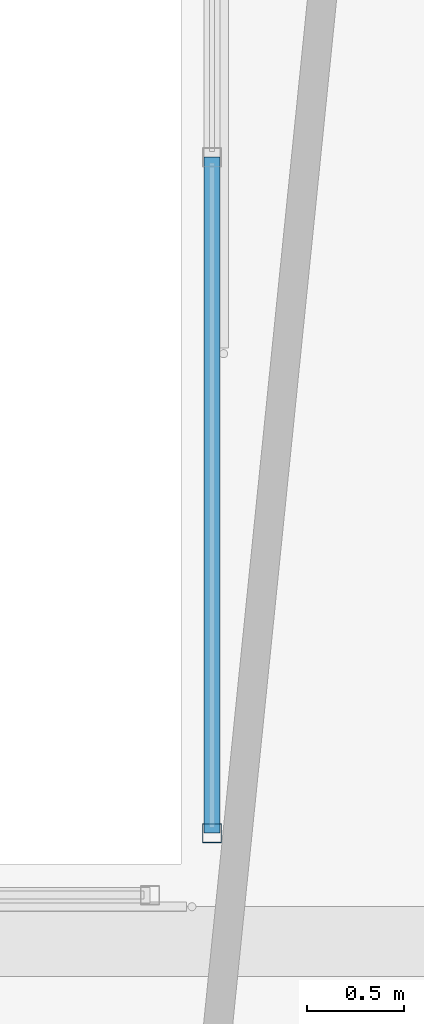
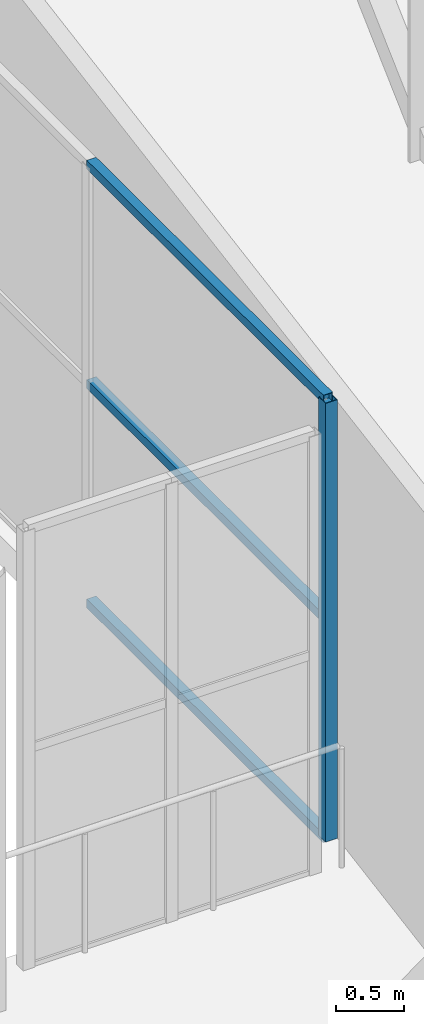
# One storey, part 143 of 217: 4 members, 1 element without a shape of its own.
"""IFC4 building model written with IfcOpenShell, lengths in metres."""

from ifc_helpers import new_model, si_unit, direction, frame, origin, origin_2d, place, context, subcontext, project, spatial, hollow_rectangle, extrude, material, material_profile, profile_set, type_object, element, aggregate, save


model = new_model("IFC4")

# Units and contexts
model_context = context("Model", 3, precision=1e-05, world=origin(), true_north=direction((0.0, 1.0)))
body_context = subcontext(model_context, "Body", "Model", "MODEL_VIEW")
ifc_project = project(units=[si_unit("LENGTHUNIT", "METRE"), si_unit("AREAUNIT", "SQUARE_METRE"), si_unit("VOLUMEUNIT", "CUBIC_METRE"), si_unit("PLANEANGLEUNIT", "RADIAN"), si_unit("MASSUNIT", "GRAM", prefix="KILO")], contexts=[model_context])

# Site, building, storey
site_placement = place(None, origin())
site = spatial("IfcSite", under=ifc_project, at=site_placement, CompositionType="ELEMENT")
building_placement = place(site_placement, origin())
building = spatial("IfcBuilding", under=site, at=building_placement, Name="Zuvorla Pavilion Media Centre", CompositionType="ELEMENT")
storey_placement = place(building_placement, frame((0.0, 0.0, 9.60009765625)))
storey = spatial("IfcBuildingStorey", under=building, at=storey_placement, Name="L02", CompositionType="ELEMENT", Elevation=9.60009765625)

# Curtain wall, members
ifc_material_1 = material(Name="Unitised anodised aluminium and solar glass curtain wall", Category="aluminium")
curtain_wall_type = type_object("IfcCurtainWallType", Name="CW-SYS-24", PredefinedType="USERDEFINED", material=ifc_material_1)
curtain_wall_placement = place(storey_placement, origin())
curtain_wall = element("IfcCurtainWall", 1, at=curtain_wall_placement, inside=storey, type_object=curtain_wall_type, Name="L02 curtain wall CW24 88", ObjectType="CURTAIN WALL", PredefinedType="USERDEFINED")
ifc_material_2 = material(Name="Anodised aluminium 6063-T6", Category="aluminium")
ifc_material_profile_1 = material_profile(ifc_material_2, hollow_rectangle(XDim=0.10009765625, YDim=0.10009765625, WallThickness=0.00439453125, at=origin_2d()), Name="ALU MULL 100x100")
ifc_profile_set_1 = profile_set([ifc_material_profile_1], Name="Anodised aluminium 6063-T6")
member_type_1 = type_object("IfcMemberType", Name="CW-MULL-100", PredefinedType="MULLION", material=ifc_profile_set_1)
member_1_placement = place(storey_placement, frame((154.159912109375, 52.159912109375, 0.0), z_axis=(0.0, 0.0, 1.0), x_axis=(1.0, 0.0, 0.0)))
member_1 = element("IfcMember", 2, at=member_1_placement, type_object=member_type_1, Name="CW24 mullion 1", PredefinedType="MULLION", context=body_context, shape_type="SweptSolid", body=[
    extrude(hollow_rectangle(XDim=0.10009765625, YDim=0.10009765625, WallThickness=0.00439453125, at=origin_2d()), origin(), (0.0, 0.0, 1.0), 3.949951171875),
])
ifc_material_profile_2 = material_profile(ifc_material_2, hollow_rectangle(XDim=0.080078125, YDim=0.080078125, WallThickness=0.00390625, at=origin_2d()), Name="ALU TRAN 80x80")
ifc_profile_set_2 = profile_set([ifc_material_profile_2], Name="Anodised aluminium 6063-T6")
member_type_2 = type_object("IfcMemberType", Name="CW-TRAN-80", PredefinedType="USERDEFINED", material=ifc_profile_set_2)
member_2_placement = place(storey_placement, frame((154.159912109375, 52.159912109375, 0.0), z_axis=(0.0, 1.0, 0.0), x_axis=(-1.0, 0.0, 0.0)))
member_2 = element("IfcMember", 3, at=member_2_placement, type_object=member_type_2, Name="CW24 transom 1.1", ObjectType="TRANSOM", PredefinedType="USERDEFINED", context=body_context, shape_type="SweptSolid", body=[
    extrude(hollow_rectangle(XDim=0.080078125, YDim=0.080078125, WallThickness=0.00390625, at=origin_2d()), origin(), (0.0, 0.0, 1.0), 3.489990234375),
])
member_3_placement = place(storey_placement, frame((154.159912109375, 52.159912109375, 1.974853515625), z_axis=(0.0, 1.0, 0.0), x_axis=(-1.0, 0.0, 0.0)))
member_3 = element("IfcMember", 4, at=member_3_placement, type_object=member_type_2, Name="CW24 transom 1.2", ObjectType="TRANSOM", PredefinedType="USERDEFINED", context=body_context, shape_type="SweptSolid", body=[
    extrude(hollow_rectangle(XDim=0.080078125, YDim=0.080078125, WallThickness=0.00390625, at=origin_2d()), origin(), (0.0, 0.0, 1.0), 3.489990234375),
])
member_4_placement = place(storey_placement, frame((154.159912109375, 52.159912109375, 3.949951171875), z_axis=(0.0, 1.0, 0.0), x_axis=(-1.0, 0.0, 0.0)))
member_4 = element("IfcMember", 5, at=member_4_placement, type_object=member_type_2, Name="CW24 transom 1.3", ObjectType="TRANSOM", PredefinedType="USERDEFINED", context=body_context, shape_type="SweptSolid", body=[
    extrude(hollow_rectangle(XDim=0.080078125, YDim=0.080078125, WallThickness=0.00390625, at=origin_2d()), origin(), (0.0, 0.0, 1.0), 3.489990234375),
])
aggregate(curtain_wall, [member_1, member_2, member_3, member_4])

save(model, "model.ifc")
